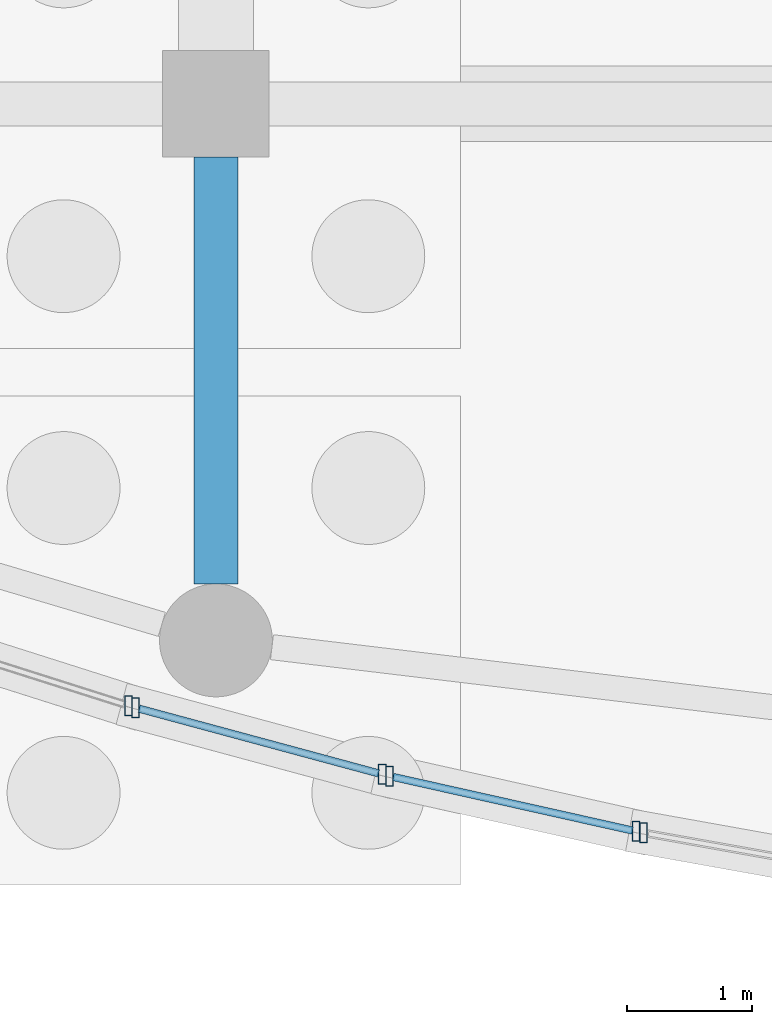
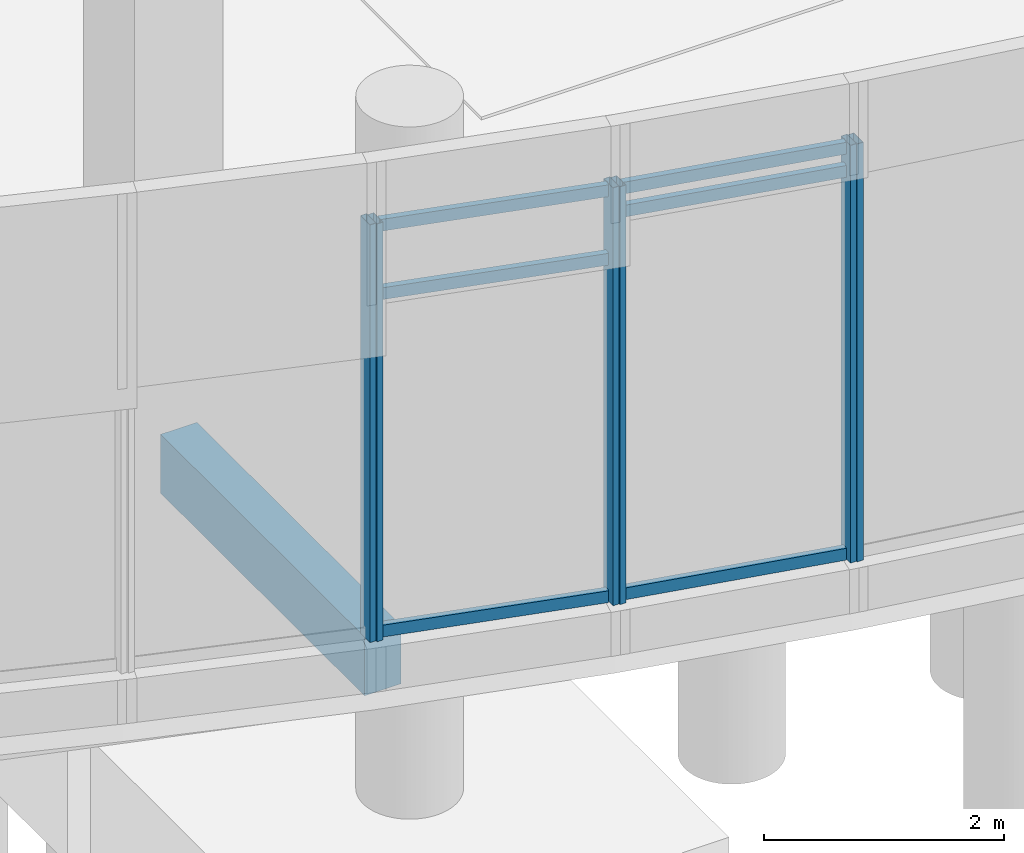
# One storey, part 28 of 192: 12 members, 1 beam, 4 elements without a shape of their own.
"""IFC4 building model written with IfcOpenShell, lengths in metres."""

from ifc_helpers import new_model, si_unit, direction, frame, origin, origin_2d, place, context, subcontext, project, spatial, rectangle, hollow_rectangle, extrude, material, material_profile, profile_set, type_object, element, aggregate, save


model = new_model("IFC4")

# Units and contexts
model_context = context("Model", 3, precision=1e-05, world=origin(), true_north=direction((0.0, 1.0)))
body_context = subcontext(model_context, "Body", "Model", "MODEL_VIEW")
ifc_project = project(units=[si_unit("LENGTHUNIT", "METRE"), si_unit("AREAUNIT", "SQUARE_METRE"), si_unit("VOLUMEUNIT", "CUBIC_METRE"), si_unit("PLANEANGLEUNIT", "RADIAN"), si_unit("MASSUNIT", "GRAM", prefix="KILO")], contexts=[model_context])

# Site, building, storey
site_placement = place(None, origin())
site = spatial("IfcSite", under=ifc_project, at=site_placement, CompositionType="ELEMENT")
building_placement = place(site_placement, origin())
building = spatial("IfcBuilding", under=site, at=building_placement, Name="Cendralis Lancet Convention Centre", CompositionType="ELEMENT")
storey_placement = place(building_placement, origin())
storey = spatial("IfcBuildingStorey", under=building, at=storey_placement, Name="L00", CompositionType="ELEMENT", Elevation=0.0)

# Curtain wall, member
ifc_material_1 = material(Name="Anodised bronze architectural aluminium", Category="aluminium")
curtain_wall_type = type_object("IfcCurtainWallType", Name="ARC-CW-WF01", PredefinedType="USERDEFINED", material=ifc_material_1)
curtain_wall_1_placement = place(storey_placement, origin())
curtain_wall_1 = element("IfcCurtainWall", 1, at=curtain_wall_1_placement, inside=storey, type_object=curtain_wall_type, Name="L00 Curtain Wall CW-WF1 #019", ObjectType="CURTAIN WALL", PredefinedType="USERDEFINED")
ifc_material_profile_1 = material_profile(ifc_material_1, hollow_rectangle(XDim=0.06005859375, YDim=0.159912109375, WallThickness=0.00390625, at=origin_2d()), Name="AL-MULL 60x160x4.0")
ifc_profile_set_1 = profile_set([ifc_material_profile_1], Name="Anodised bronze architectural aluminium")
member_type_1 = type_object("IfcMemberType", Name="ARC-CW-ML01", PredefinedType="MULLION", material=ifc_profile_set_1)
member_1_placement = place(storey_placement, frame((42.50146484375, 2.402099609375, 0.449951171875), z_axis=(0.0, 0.0, 1.0), x_axis=(1.0, 0.0, 0.0)))
member_1 = element("IfcMember", 2, at=member_1_placement, type_object=member_type_1, Name="Mullion CW2-CW-WF1-L00-019-M1", PredefinedType="MULLION", context=body_context, shape_type="SweptSolid", body=[
    extrude(hollow_rectangle(XDim=0.06005859375, YDim=0.159912109375, WallThickness=0.00390625, at=origin_2d()), origin(), (0.0, 0.0, 1.0), 4.255126953125),
])
aggregate(curtain_wall_1, [member_1])

# Curtain wall, members
curtain_wall_2_placement = place(storey_placement, origin())
curtain_wall_2 = element("IfcCurtainWall", 3, at=curtain_wall_2_placement, inside=storey, type_object=curtain_wall_type, Name="L00 Curtain Wall CW-WF1 #020", ObjectType="CURTAIN WALL", PredefinedType="USERDEFINED")
member_2_placement = place(storey_placement, frame((42.55908203125, 2.38525390625, 0.449951171875), z_axis=(0.0, 0.0, 1.0), x_axis=(1.0, 0.0, 0.0)))
member_2 = element("IfcMember", 4, at=member_2_placement, type_object=member_type_1, Name="Mullion CW2-CW-WF1-L00-020-M0", PredefinedType="MULLION", context=body_context, shape_type="SweptSolid", body=[
    extrude(hollow_rectangle(XDim=0.06005859375, YDim=0.159912109375, WallThickness=0.00390625, at=origin_2d()), origin(), (0.0, 0.0, 1.0), 4.255126953125),
])
member_3_placement = place(storey_placement, frame((44.52587890625, 1.853759765625, 0.449951171875), z_axis=(0.0, 0.0, 1.0), x_axis=(1.0, 0.0, 0.0)))
member_3 = element("IfcMember", 5, at=member_3_placement, type_object=member_type_1, Name="Mullion CW2-CW-WF1-L00-020-M1", PredefinedType="MULLION", context=body_context, shape_type="SweptSolid", body=[
    extrude(hollow_rectangle(XDim=0.06005859375, YDim=0.159912109375, WallThickness=0.00390625, at=origin_2d()), origin(), (0.0, 0.0, 1.0), 4.255126953125),
])

curtain_wall_3_placement = place(storey_placement, origin())
curtain_wall_3 = element("IfcCurtainWall", 6, at=curtain_wall_3_placement, inside=storey, type_object=curtain_wall_type, Name="L00 Curtain Wall CW-WF1 #021", ObjectType="CURTAIN WALL", PredefinedType="USERDEFINED")
member_4_placement = place(storey_placement, frame((44.584228515625, 1.839599609375, 0.449951171875), z_axis=(0.0, 0.0, 1.0), x_axis=(1.0, 0.0, 0.0)))
member_4 = element("IfcMember", 7, at=member_4_placement, type_object=member_type_1, Name="Mullion CW2-CW-WF1-L00-021-M0", PredefinedType="MULLION", context=body_context, shape_type="SweptSolid", body=[
    extrude(hollow_rectangle(XDim=0.06005859375, YDim=0.159912109375, WallThickness=0.00390625, at=origin_2d()), origin(), (0.0, 0.0, 1.0), 4.255126953125),
])
member_5_placement = place(storey_placement, frame((46.55078125, 1.3994140625, 0.449951171875), z_axis=(0.0, 0.0, 1.0), x_axis=(1.0, 0.0, 0.0)))
member_5 = element("IfcMember", 8, at=member_5_placement, type_object=member_type_1, Name="Mullion CW2-CW-WF1-L00-021-M1", PredefinedType="MULLION", context=body_context, shape_type="SweptSolid", body=[
    extrude(hollow_rectangle(XDim=0.06005859375, YDim=0.159912109375, WallThickness=0.00390625, at=origin_2d()), origin(), (0.0, 0.0, 1.0), 4.255126953125),
])

# Curtain wall, member
curtain_wall_4_placement = place(storey_placement, origin())
curtain_wall_4 = element("IfcCurtainWall", 9, at=curtain_wall_4_placement, inside=storey, type_object=curtain_wall_type, Name="L00 Curtain Wall CW-WF1 #022", ObjectType="CURTAIN WALL", PredefinedType="USERDEFINED")
member_6_placement = place(storey_placement, frame((46.609619140625, 1.3876953125, 0.449951171875), z_axis=(0.0, 0.0, 1.0), x_axis=(1.0, 0.0, 0.0)))
member_6 = element("IfcMember", 10, at=member_6_placement, type_object=member_type_1, Name="Mullion CW2-CW-WF1-L00-022-M0", PredefinedType="MULLION", context=body_context, shape_type="SweptSolid", body=[
    extrude(hollow_rectangle(XDim=0.06005859375, YDim=0.159912109375, WallThickness=0.00390625, at=origin_2d()), origin(), (0.0, 0.0, 1.0), 4.255126953125),
])
aggregate(curtain_wall_4, [member_6])

# Member
ifc_material_profile_2 = material_profile(ifc_material_1, hollow_rectangle(XDim=0.06005859375, YDim=0.1201171875, WallThickness=0.00390625, at=origin_2d()), Name="AL-TRAN 60x120x4.0")
ifc_profile_set_2 = profile_set([ifc_material_profile_2], Name="Anodised bronze architectural aluminium")
member_type_2 = type_object("IfcMemberType", Name="ARC-CW-TR01", PredefinedType="USERDEFINED", material=ifc_profile_set_2)
member_7_placement = place(storey_placement, frame((42.587890625, 2.37744140625, 0.510009765625), z_axis=(0.965379358211, -0.26084994679, 0.0), x_axis=(0.26084994679, 0.965379358211, 0.0)))
member_7 = element("IfcMember", 11, at=member_7_placement, type_object=member_type_2, Name="Transom CW2-CW-WF1-L00-020-T0BOT", ObjectType="TRANSOM", PredefinedType="USERDEFINED", context=body_context, shape_type="SweptSolid", body=[
    extrude(hollow_rectangle(XDim=0.06005859375, YDim=0.1201171875, WallThickness=0.00390625, at=origin_2d()), origin(), (0.0, 0.0, 1.0), 1.9775390625),
])

member_8_placement = place(storey_placement, frame((42.587890625, 2.37744140625, 3.947021484375), z_axis=(0.965379358211, -0.26084994679, 0.0), x_axis=(0.26084994679, 0.965379358211, 0.0)))
member_8 = element("IfcMember", 12, at=member_8_placement, type_object=member_type_2, Name="Transom CW2-CW-WF1-L00-020-T0MID", ObjectType="TRANSOM", PredefinedType="USERDEFINED", context=body_context, shape_type="SweptSolid", body=[
    extrude(hollow_rectangle(XDim=0.06005859375, YDim=0.1201171875, WallThickness=0.00390625, at=origin_2d()), origin(), (0.0, 0.0, 1.0), 1.9775390625),
])

member_9_placement = place(storey_placement, frame((42.587890625, 2.37744140625, 4.64501953125), z_axis=(0.965379358211, -0.26084994679, 0.0), x_axis=(0.26084994679, 0.965379358211, 0.0)))
member_9 = element("IfcMember", 13, at=member_9_placement, type_object=member_type_2, Name="Transom CW2-CW-WF1-L00-020-T0TOP", ObjectType="TRANSOM", PredefinedType="USERDEFINED", context=body_context, shape_type="SweptSolid", body=[
    extrude(hollow_rectangle(XDim=0.06005859375, YDim=0.1201171875, WallThickness=0.00390625, at=origin_2d()), origin(), (0.0, 0.0, 1.0), 1.9775390625),
])

aggregate(curtain_wall_2, [member_2, member_3, member_7, member_8, member_9])

member_10_placement = place(storey_placement, frame((44.613525390625, 1.8330078125, 0.510009765625), z_axis=(0.975859825684, -0.218397803598, 0.0), x_axis=(0.218397803598, 0.975859825684, 0.0)))
member_10 = element("IfcMember", 14, at=member_10_placement, type_object=member_type_2, Name="Transom CW2-CW-WF1-L00-021-T0BOT", ObjectType="TRANSOM", PredefinedType="USERDEFINED", context=body_context, shape_type="SweptSolid", body=[
    extrude(hollow_rectangle(XDim=0.06005859375, YDim=0.1201171875, WallThickness=0.00390625, at=origin_2d()), origin(), (0.0, 0.0, 1.0), 1.955078125),
])

member_11_placement = place(storey_placement, frame((44.613525390625, 1.8330078125, 4.408935546875), z_axis=(0.975859825684, -0.218397803598, 0.0), x_axis=(0.218397803598, 0.975859825684, 0.0)))
member_11 = element("IfcMember", 15, at=member_11_placement, type_object=member_type_2, Name="Transom CW2-CW-WF1-L00-021-T0MID", ObjectType="TRANSOM", PredefinedType="USERDEFINED", context=body_context, shape_type="SweptSolid", body=[
    extrude(hollow_rectangle(XDim=0.06005859375, YDim=0.1201171875, WallThickness=0.00390625, at=origin_2d()), origin(), (0.0, 0.0, 1.0), 1.955078125),
])

member_12_placement = place(storey_placement, frame((44.613525390625, 1.8330078125, 4.64501953125), z_axis=(0.975859825684, -0.218397803598, 0.0), x_axis=(0.218397803598, 0.975859825684, 0.0)))
member_12 = element("IfcMember", 16, at=member_12_placement, type_object=member_type_2, Name="Transom CW2-CW-WF1-L00-021-T0TOP", ObjectType="TRANSOM", PredefinedType="USERDEFINED", context=body_context, shape_type="SweptSolid", body=[
    extrude(hollow_rectangle(XDim=0.06005859375, YDim=0.1201171875, WallThickness=0.00390625, at=origin_2d()), origin(), (0.0, 0.0, 1.0), 1.955078125),
])

aggregate(curtain_wall_3, [member_4, member_5, member_10, member_11, member_12])

# Beam
ifc_material_2 = material(Name="Concrete G35 (C35/45)", Category="concrete")
ifc_material_profile_3 = material_profile(ifc_material_2, rectangle(XDim=0.35009765625, YDim=0.60009765625, at=origin_2d()), Name="RCB 350x600")
ifc_profile_set_3 = profile_set([ifc_material_profile_3], Name="Concrete G35 (C35/45)")
beam_type = type_object("IfcBeamType", Name="STR-BM-BG16", PredefinedType="BEAM", material=ifc_profile_set_3)
beam_placement = place(storey_placement, frame((43.199951171875, 3.37158203125, -0.6201171875), z_axis=(0.0, 1.0, 0.0), x_axis=(-1.0, 0.0, 0.0)))
element("IfcBeam", 17, at=beam_placement, inside=storey, type_object=beam_type, Name="L00 Beam BG16 #1021", PredefinedType="BEAM", context=body_context, shape_type="SweptSolid", body=[
    extrude(rectangle(XDim=0.35009765625, YDim=0.60009765625, at=origin_2d()), origin(), (0.0, 0.0, 1.0), 3.4033203125),
])

save(model, "model.ifc")
